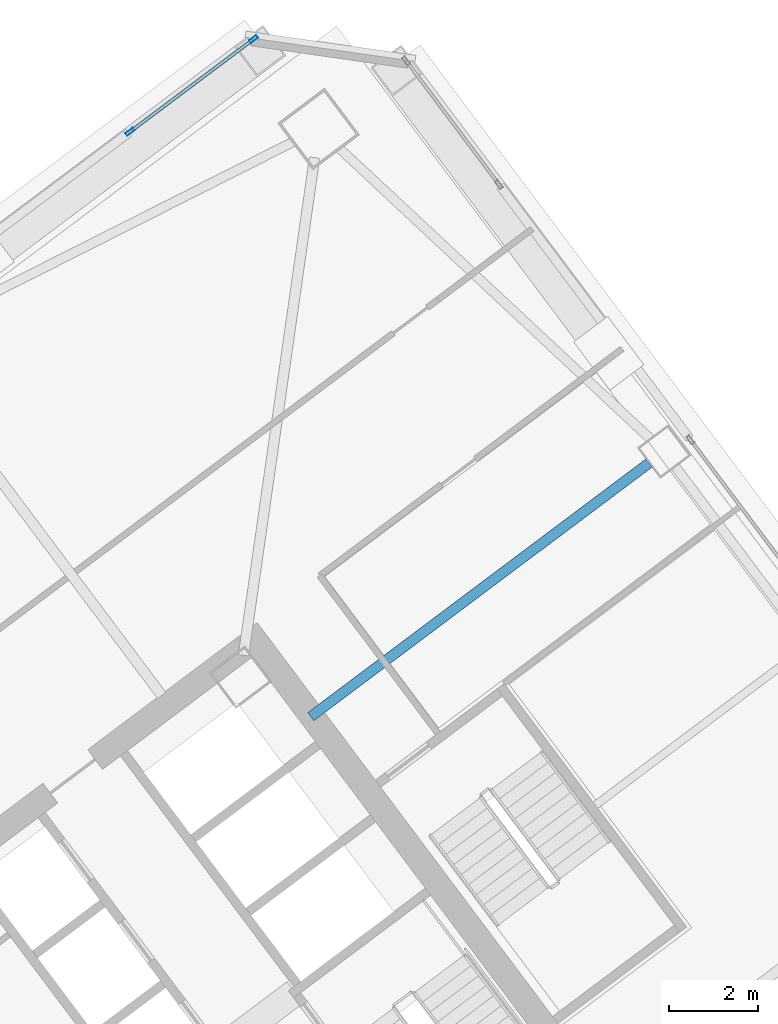
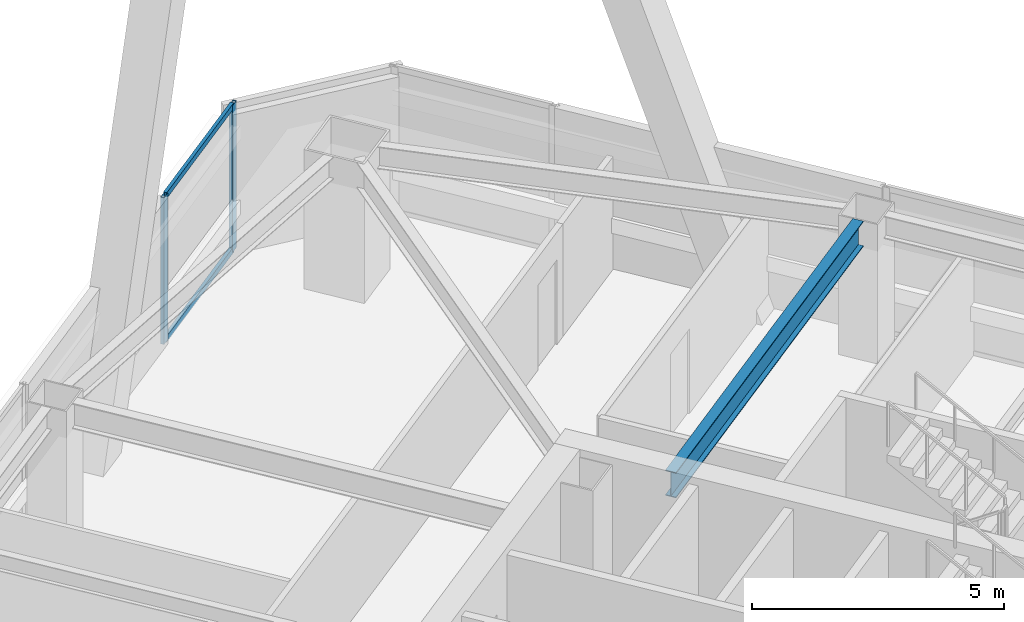
# One storey, part 39 of 54: 4 members, 1 beam, 1 element without a shape of its own.
"""IFC4 building model written with IfcOpenShell, lengths in metres."""

from ifc_helpers import new_model, si_unit, direction, frame, origin, origin_2d, place, context, subcontext, project, spatial, hollow_rectangle, i_section, extrude, material, material_profile, profile_set, type_object, element, aggregate, save


model = new_model("IFC4")

# Units and contexts
model_context = context("Model", 3, precision=1e-05, world=origin(), true_north=direction((0.0, 1.0)))
body_context = subcontext(model_context, "Body", "Model", "MODEL_VIEW")
ifc_project = project(units=[si_unit("LENGTHUNIT", "METRE"), si_unit("AREAUNIT", "SQUARE_METRE"), si_unit("VOLUMEUNIT", "CUBIC_METRE"), si_unit("PLANEANGLEUNIT", "RADIAN"), si_unit("MASSUNIT", "GRAM", prefix="KILO")], contexts=[model_context])

# Site, building, storey
site_placement = place(None, origin())
site = spatial("IfcSite", under=ifc_project, at=site_placement, CompositionType="ELEMENT")
building_placement = place(site_placement, origin())
building = spatial("IfcBuilding", under=site, at=building_placement, Name="Tashvorn Skyway Center", CompositionType="ELEMENT")
storey_placement = place(building_placement, frame((0.0, 0.0, 135.699951171875)))
storey = spatial("IfcBuildingStorey", under=building, at=storey_placement, Name="L36", CompositionType="ELEMENT", Elevation=135.699951171875)

# Beam
ifc_material_1 = material(Name="Steel ASTM A992 Grade 50", Category="steel")
ifc_material_profile_1 = material_profile(ifc_material_1, i_section(OverallWidth=0.22998046875, OverallDepth=0.616943359375, WebThickness=0.01318359375, FlangeThickness=0.022216796875, at=origin_2d()), Name="W24X94")
ifc_profile_set_1 = profile_set([ifc_material_profile_1], Name="Steel ASTM A992 Grade 50")
beam_type = type_object("IfcBeamType", Name="BM-BEAM-W24X94", PredefinedType="BEAM", material=ifc_profile_set_1)
beam_placement = place(storey_placement, frame((124.5439453125, 46.657958984375, 3.0615234375), z_axis=(-0.800006200354, -0.599991732772, 0.0), x_axis=(0.599991732772, -0.800006200354, 0.0)))
element("IfcBeam", 1, at=beam_placement, inside=storey, type_object=beam_type, Name="Tower 2 L36 Primary Floor Girder FC-E2", PredefinedType="BEAM", context=body_context, shape_type="SweptSolid", body=[
    extrude(i_section(OverallWidth=0.22998046875, OverallDepth=0.616943359375, WebThickness=0.01318359375, FlangeThickness=0.022216796875, at=origin_2d()), origin(), (0.0, 0.0, 1.0), 9.449951171875),
])

# Curtain wall, members
ifc_material_2 = material(Name="Thermally broken bronze-anodized aluminium 6063-T6", Category="aluminium")
curtain_wall_type = type_object("IfcCurtainWallType", Name="CW-CW-Z3", PredefinedType="NOTDEFINED", material=ifc_material_2)
curtain_wall_placement = place(storey_placement, origin())
curtain_wall = element("IfcCurtainWall", 2, at=curtain_wall_placement, inside=storey, type_object=curtain_wall_type, Name="Tower 2 L36 North Unitised Curtain Wall Glazing Group 3", PredefinedType="NOTDEFINED")
ifc_material_profile_2 = material_profile(ifc_material_2, hollow_rectangle(XDim=0.074951171875, YDim=0.199951171875, WallThickness=0.00439453125, at=origin_2d()), Name="ALU-MULL-75x200")
ifc_profile_set_2 = profile_set([ifc_material_profile_2], Name="Thermally broken bronze-anodized aluminium 6063-T6")
member_type_1 = type_object("IfcMemberType", Name="CWM-CW-Z3", PredefinedType="MULLION", material=ifc_profile_set_2)
member_1_placement = place(storey_placement, frame((112.94287109375, 54.05712890625, 0.0), z_axis=(0.0, 0.0, 1.0), x_axis=(-0.599995465948, 0.800003400519, 0.0)))
member_1 = element("IfcMember", 3, at=member_1_placement, type_object=member_type_1, Name="CW-Z3 mullion 1", PredefinedType="MULLION", context=body_context, shape_type="SweptSolid", body=[
    extrude(hollow_rectangle(XDim=0.074951171875, YDim=0.199951171875, WallThickness=0.00439453125, at=origin_2d()), origin(), (0.0, 0.0, 1.0), 3.550048828125),
])
member_2_placement = place(storey_placement, frame((115.7060546875, 56.12939453125, 0.0), z_axis=(0.0, 0.0, 1.0), x_axis=(-0.599995465948, 0.800003400519, 0.0)))
member_2 = element("IfcMember", 4, at=member_2_placement, type_object=member_type_1, Name="CW-Z3 mullion 2", PredefinedType="MULLION", context=body_context, shape_type="SweptSolid", body=[
    extrude(hollow_rectangle(XDim=0.074951171875, YDim=0.199951171875, WallThickness=0.00439453125, at=origin_2d()), origin(), (0.0, 0.0, 1.0), 3.550048828125),
])
ifc_material_profile_3 = material_profile(ifc_material_2, hollow_rectangle(XDim=0.074951171875, YDim=0.139892578125, WallThickness=0.004150390625, at=origin_2d()), Name="ALU-TRAN-75x140")
ifc_profile_set_3 = profile_set([ifc_material_profile_3], Name="Thermally broken bronze-anodized aluminium 6063-T6")
member_type_2 = type_object("IfcMemberType", Name="CWT-CW-Z3", PredefinedType="USERDEFINED", material=ifc_profile_set_3)
member_3_placement = place(storey_placement, frame((112.972900390625, 54.07958984375, 0.03759765625), z_axis=(0.8, 0.6, 0.0), x_axis=(-0.6, 0.8, 0.0)))
member_3 = element("IfcMember", 5, at=member_3_placement, type_object=member_type_2, Name="CW-Z3 transom 1.1", ObjectType="TRANSOM", PredefinedType="USERDEFINED", context=body_context, shape_type="SweptSolid", body=[
    extrude(hollow_rectangle(XDim=0.074951171875, YDim=0.139892578125, WallThickness=0.004150390625, at=origin_2d()), origin(), (0.0, 0.0, 1.0), 3.37890625),
])
member_4_placement = place(storey_placement, frame((112.972900390625, 54.07958984375, 3.512451171875), z_axis=(0.8, 0.6, 0.0), x_axis=(-0.6, 0.8, 0.0)))
member_4 = element("IfcMember", 6, at=member_4_placement, type_object=member_type_2, Name="CW-Z3 transom 1.2", ObjectType="TRANSOM", PredefinedType="USERDEFINED", context=body_context, shape_type="SweptSolid", body=[
    extrude(hollow_rectangle(XDim=0.074951171875, YDim=0.139892578125, WallThickness=0.004150390625, at=origin_2d()), origin(), (0.0, 0.0, 1.0), 3.37890625),
])
aggregate(curtain_wall, [member_1, member_2, member_3, member_4])

save(model, "model.ifc")
